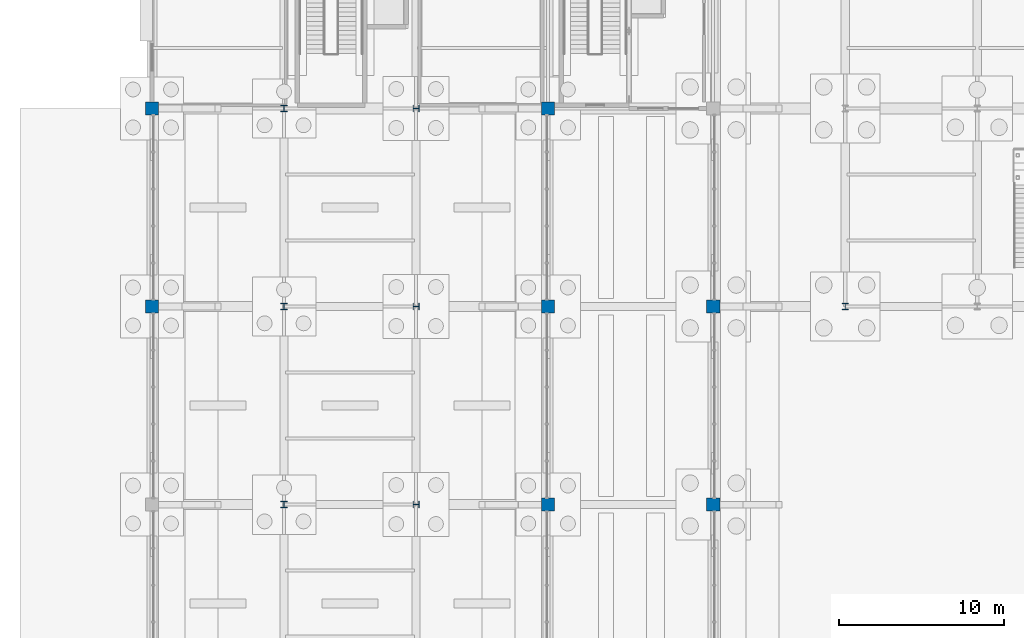
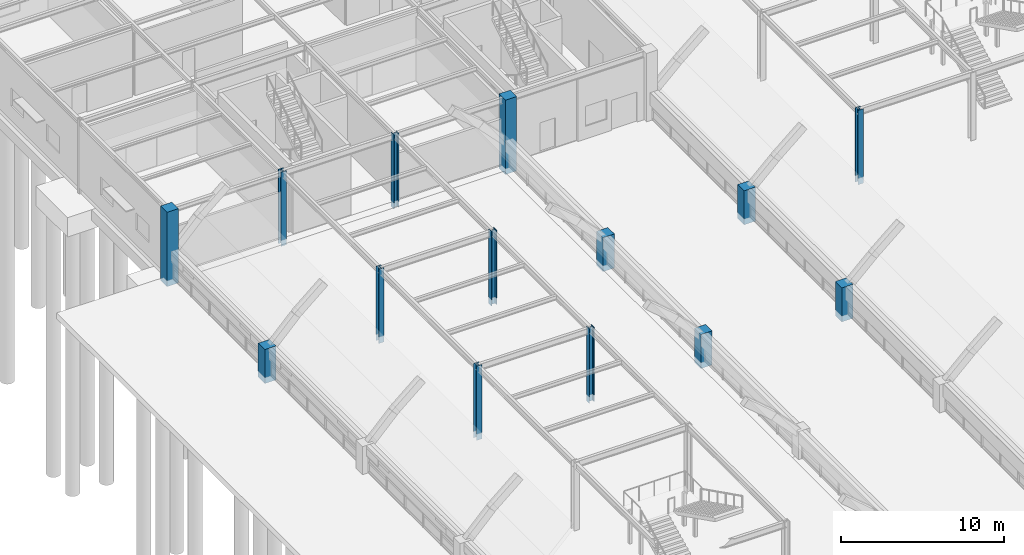
# One storey, part 18 of 129: 14 columns.
"""IFC4 building model written with IfcOpenShell, lengths in metres."""

from ifc_helpers import new_model, si_unit, direction, frame, origin, origin_2d, place, context, subcontext, project, spatial, rectangle, i_section, extrude, material, material_profile, profile_set, type_object, element, save


model = new_model("IFC4")

# Units and contexts
model_context = context("Model", 3, precision=1e-05, world=origin(), true_north=direction((0.0, 1.0)))
body_context = subcontext(model_context, "Body", "Model", "MODEL_VIEW")
ifc_project = project(units=[si_unit("LENGTHUNIT", "METRE"), si_unit("AREAUNIT", "SQUARE_METRE"), si_unit("VOLUMEUNIT", "CUBIC_METRE"), si_unit("PLANEANGLEUNIT", "RADIAN"), si_unit("MASSUNIT", "GRAM", prefix="KILO")], contexts=[model_context])

# Site, building, storey
site_placement = place(None, origin())
site = spatial("IfcSite", under=ifc_project, at=site_placement, CompositionType="ELEMENT")
building_placement = place(site_placement, origin())
building = spatial("IfcBuilding", under=site, at=building_placement, Name="Sitalva Quay Ferry Terminal", CompositionType="ELEMENT")
storey_placement = place(building_placement, origin())
storey = spatial("IfcBuildingStorey", under=building, at=storey_placement, Name="L01", CompositionType="ELEMENT", Elevation=0.0)

# Columns
ifc_material_1 = material(Name="Concrete C40/50", Category="concrete")
ifc_material_profile_1 = material_profile(ifc_material_1, rectangle(XDim=0.800048828125, YDim=0.800048828125, at=origin_2d()), Name="RC800x800")
ifc_profile_set_1 = profile_set([ifc_material_profile_1], Name="Concrete C40/50")
column_type_1 = type_object("IfcColumnType", Name="Col_RC800x800", PredefinedType="COLUMN", material=ifc_profile_set_1)
for number, where, z_axis, x_axis, name in (
    (1, (32.0, 54.0, -0.449951171875), (0.0, 0.0, 1.0), (1.0, 0.0, 0.0), "L01 column 5G"),
    (2, (42.0, 54.0, -0.449951171875), (0.0, 0.0, 1.0), (1.0, 0.0, 0.0), "L01 column 6G"),
    (3, (8.0, 66.0, -0.449951171875), (0.0, 0.0, 1.0), (1.0, 0.0, 0.0), "L01 column 2H"),
    (4, (32.0, 66.0, -0.449951171875), (0.0, 0.0, 1.0), (1.0, 0.0, 0.0), "L01 column 5H"),
    (5, (42.0, 66.0, -0.449951171875), (0.0, 0.0, 1.0), (1.0, 0.0, 0.0), "L01 column 6H"),
):
    element("IfcColumn", number, at=place(storey_placement, frame(where, z_axis=z_axis, x_axis=x_axis)), inside=storey, type_object=column_type_1, Name=name, PredefinedType="COLUMN", context=body_context, shape_type="SweptSolid", body=[
        extrude(rectangle(XDim=0.800048828125, YDim=0.800048828125, at=origin_2d()), origin(), (0.0, 0.0, 1.0), 2.550048828125),
    ])
for number, where, z_axis, x_axis, name in (
    (6, (8.0, 78.0, -0.449951171875), (0.0, 0.0, 1.0), (1.0, 0.0, 0.0), "L01 column 2J"),
    (7, (32.0, 78.0, -0.449951171875), (0.0, 0.0, 1.0), (1.0, 0.0, 0.0), "L01 column 5J"),
):
    element("IfcColumn", number, at=place(storey_placement, frame(where, z_axis=z_axis, x_axis=x_axis)), inside=storey, type_object=column_type_1, Name=name, PredefinedType="COLUMN", context=body_context, shape_type="SweptSolid", body=[
        extrude(rectangle(XDim=0.800048828125, YDim=0.800048828125, at=origin_2d()), origin(), (0.0, 0.0, 1.0), 5.570068359375),
    ])
ifc_material_2 = material(Name="Structural Steel S355JR", Category="steel")
ifc_material_profile_2 = material_profile(ifc_material_2, i_section(OverallWidth=0.3740234375, OverallDepth=0.3720703125, WebThickness=0.016357421875, FlangeThickness=0.026123046875, FilletRadius=0.01611328125, at=origin_2d()), Name="W360x196")
ifc_profile_set_2 = profile_set([ifc_material_profile_2], Name="Structural Steel S355JR")
column_type_2 = type_object("IfcColumnType", Name="Col_W360x196", PredefinedType="COLUMN", material=ifc_profile_set_2)
for number, where, z_axis, x_axis, name in (
    (8, (16.0, 54.0, -0.449951171875), (0.0, 0.0, 1.0), (1.0, 0.0, 0.0), "L01 column 3G"),
    (9, (24.0, 54.0, -0.449951171875), (0.0, 0.0, 1.0), (0.0, 1.0, 0.0), "L01 column 4G"),
    (10, (16.0, 66.0, -0.449951171875), (0.0, 0.0, 1.0), (1.0, 0.0, 0.0), "L01 column 3H"),
    (11, (24.0, 66.0, -0.449951171875), (0.0, 0.0, 1.0), (0.0, 1.0, 0.0), "L01 column 4H"),
    (12, (50.0, 66.0, -0.449951171875), (0.0, 0.0, 1.0), (1.0, 0.0, 0.0), "L01 column 7H"),
    (13, (16.0, 78.0, -0.449951171875), (0.0, 0.0, 1.0), (1.0, 0.0, 0.0), "L01 column 3J"),
    (14, (24.0, 78.0, -0.449951171875), (0.0, 0.0, 1.0), (0.0, 1.0, 0.0), "L01 column 4J"),
):
    element("IfcColumn", number, at=place(storey_placement, frame(where, z_axis=z_axis, x_axis=x_axis)), inside=storey, type_object=column_type_2, Name=name, PredefinedType="COLUMN", context=body_context, shape_type="SweptSolid", body=[
        extrude(i_section(OverallWidth=0.3740234375, OverallDepth=0.3720703125, WebThickness=0.016357421875, FlangeThickness=0.026123046875, FilletRadius=0.01611328125, at=origin_2d()), origin(), (0.0, 0.0, 1.0), 5.570068359375),
    ])

save(model, "model.ifc")
